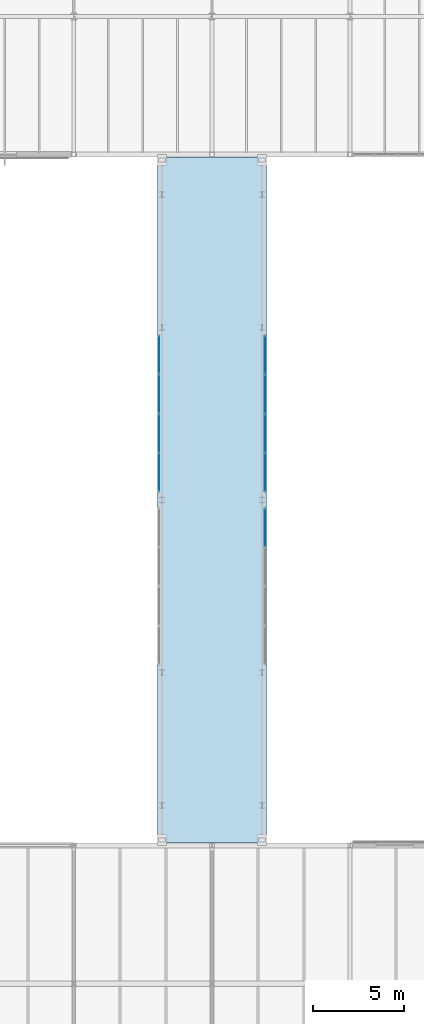
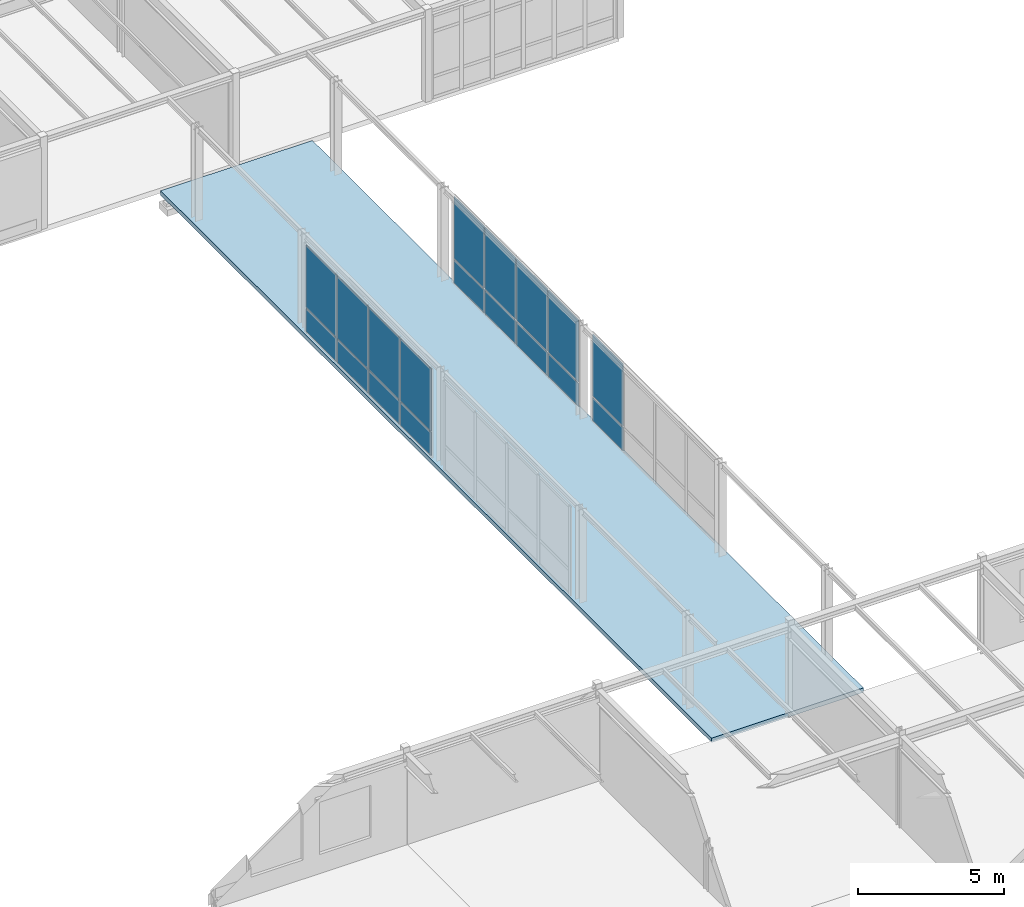
# One storey, part 139 of 189: 18 plates, 1 slab, 3 elements without a shape of their own.
"""IFC4 building model written with IfcOpenShell, lengths in metres."""

from ifc_helpers import new_model, si_unit, direction, frame, origin, origin_2d, place, context, subcontext, project, spatial, polyline, rectangle, outline, extrude, material, layer, layer_set, type_object, element, aggregate, save


model = new_model("IFC4")

# Units and contexts
model_context = context("Model", 3, precision=1e-05, world=origin(), true_north=direction((0.0, 1.0)))
body_context = subcontext(model_context, "Body", "Model", "MODEL_VIEW")
ifc_project = project(units=[si_unit("LENGTHUNIT", "METRE"), si_unit("AREAUNIT", "SQUARE_METRE"), si_unit("VOLUMEUNIT", "CUBIC_METRE"), si_unit("PLANEANGLEUNIT", "RADIAN"), si_unit("MASSUNIT", "GRAM", prefix="KILO")], contexts=[model_context])

# Site, building, storey
site_placement = place(None, origin())
site = spatial("IfcSite", under=ifc_project, at=site_placement, CompositionType="ELEMENT")
building_placement = place(site_placement, origin())
building = spatial("IfcBuilding", under=site, at=building_placement, Name="Montecoro Central Library", CompositionType="ELEMENT")
storey_placement = place(building_placement, frame((0.0, 0.0, 9.179931640625)))
storey = spatial("IfcBuildingStorey", under=building, at=storey_placement, Name="L02", CompositionType="ELEMENT", Elevation=9.179931640625)

# Curtain wall, plates
ifc_material_1 = material(Name="Bronze-anodised aluminium and low-E glazing", Category="aluminium")
ifc_layer_1 = layer(ifc_material_1, 0.159912109375)
ifc_layer_set_1 = layer_set([ifc_layer_1], Name="Bronze-anodised aluminium and low-E glazing")
curtain_wall_type_1 = type_object("IfcCurtainWallType", Name="CWT-082", PredefinedType="NOTDEFINED", material=ifc_layer_set_1)
curtain_wall_1_placement = place(storey_placement, origin())
curtain_wall_1 = element("IfcCurtainWall", 1, at=curtain_wall_1_placement, inside=storey, type_object=curtain_wall_type_1, Name="BR-W-L02-CW-W2", PredefinedType="NOTDEFINED")
ifc_material_2 = material(Name="Laminated low-E double glazing", Category="glass")
ifc_layer_2 = layer(ifc_material_2, 0.02587890625)
ifc_layer_set_2 = layer_set([ifc_layer_2], Name="Laminated low-E double glazing")
plate_type = type_object("IfcPlateType", Name="CWP-GLZ-01", PredefinedType="CURTAIN_PANEL", material=ifc_layer_set_2)
plate_1_placement = place(storey_placement, frame((24.8798828125, 55.91748046875, 0.06005859375), z_axis=(0.0, 0.0, 1.0), x_axis=(0.0, 1.0, 0.0)))
plate_1 = element("IfcPlate", 2, at=plate_1_placement, type_object=plate_type, Name="CW-082 panel 1.1", PredefinedType="CURTAIN_PANEL", context=body_context, shape_type="SweptSolid", body=[
    extrude(rectangle(XDim=2.074951171875, YDim=0.02587890625, at=origin_2d()), origin(), (0.0, 0.0, 1.0), 0.9599609375),
])
plate_2_placement = place(storey_placement, frame((24.8798828125, 55.91748046875, 1.080078125), z_axis=(0.0, 0.0, 1.0), x_axis=(0.0, 1.0, 0.0)))
plate_2 = element("IfcPlate", 3, at=plate_2_placement, type_object=plate_type, Name="CW-082 panel 1.2", PredefinedType="CURTAIN_PANEL", context=body_context, shape_type="SweptSolid", body=[
    extrude(rectangle(XDim=2.074951171875, YDim=0.02587890625, at=origin_2d()), origin(), (0.0, 0.0, 1.0), 2.590087890625),
])
plate_3_placement = place(storey_placement, frame((24.8798828125, 58.0673828125, 0.06005859375), z_axis=(0.0, 0.0, 1.0), x_axis=(0.0, 1.0, 0.0)))
plate_3 = element("IfcPlate", 4, at=plate_3_placement, type_object=plate_type, Name="CW-082 panel 2.1", PredefinedType="CURTAIN_PANEL", context=body_context, shape_type="SweptSolid", body=[
    extrude(rectangle(XDim=2.10498046875, YDim=0.02587890625, at=origin_2d()), origin(), (0.0, 0.0, 1.0), 0.9599609375),
])
plate_4_placement = place(storey_placement, frame((24.8798828125, 58.0673828125, 1.080078125), z_axis=(0.0, 0.0, 1.0), x_axis=(0.0, 1.0, 0.0)))
plate_4 = element("IfcPlate", 5, at=plate_4_placement, type_object=plate_type, Name="CW-082 panel 2.2", PredefinedType="CURTAIN_PANEL", context=body_context, shape_type="SweptSolid", body=[
    extrude(rectangle(XDim=2.10498046875, YDim=0.02587890625, at=origin_2d()), origin(), (0.0, 0.0, 1.0), 2.590087890625),
])
plate_5_placement = place(storey_placement, frame((24.8798828125, 60.232421875, 0.06005859375), z_axis=(0.0, 0.0, 1.0), x_axis=(0.0, 1.0, 0.0)))
plate_5 = element("IfcPlate", 6, at=plate_5_placement, type_object=plate_type, Name="CW-082 panel 3.1", PredefinedType="CURTAIN_PANEL", context=body_context, shape_type="SweptSolid", body=[
    extrude(rectangle(XDim=2.10498046875, YDim=0.02587890625, at=origin_2d()), origin(), (0.0, 0.0, 1.0), 0.9599609375),
])
plate_6_placement = place(storey_placement, frame((24.8798828125, 60.232421875, 1.080078125), z_axis=(0.0, 0.0, 1.0), x_axis=(0.0, 1.0, 0.0)))
plate_6 = element("IfcPlate", 7, at=plate_6_placement, type_object=plate_type, Name="CW-082 panel 3.2", PredefinedType="CURTAIN_PANEL", context=body_context, shape_type="SweptSolid", body=[
    extrude(rectangle(XDim=2.10498046875, YDim=0.02587890625, at=origin_2d()), origin(), (0.0, 0.0, 1.0), 2.590087890625),
])
plate_7_placement = place(storey_placement, frame((24.8798828125, 62.382568359375, 0.06005859375), z_axis=(0.0, 0.0, 1.0), x_axis=(0.0, 1.0, 0.0)))
plate_7 = element("IfcPlate", 8, at=plate_7_placement, type_object=plate_type, Name="CW-082 panel 4.1", PredefinedType="CURTAIN_PANEL", context=body_context, shape_type="SweptSolid", body=[
    extrude(rectangle(XDim=2.074951171875, YDim=0.02587890625, at=origin_2d()), origin(), (0.0, 0.0, 1.0), 0.9599609375),
])
plate_8_placement = place(storey_placement, frame((24.8798828125, 62.382568359375, 1.080078125), z_axis=(0.0, 0.0, 1.0), x_axis=(0.0, 1.0, 0.0)))
plate_8 = element("IfcPlate", 9, at=plate_8_placement, type_object=plate_type, Name="CW-082 panel 4.2", PredefinedType="CURTAIN_PANEL", context=body_context, shape_type="SweptSolid", body=[
    extrude(rectangle(XDim=2.074951171875, YDim=0.02587890625, at=origin_2d()), origin(), (0.0, 0.0, 1.0), 2.590087890625),
])
aggregate(curtain_wall_1, [plate_1, plate_2, plate_3, plate_4, plate_5, plate_6, plate_7, plate_8])

ifc_layer_3 = layer(ifc_material_1, 0.159912109375)
ifc_layer_set_3 = layer_set([ifc_layer_3], Name="Bronze-anodised aluminium and low-E glazing")
curtain_wall_type_2 = type_object("IfcCurtainWallType", Name="CWT-081", PredefinedType="NOTDEFINED", material=ifc_layer_set_3)
curtain_wall_2_placement = place(storey_placement, origin())
curtain_wall_2 = element("IfcCurtainWall", 10, at=curtain_wall_2_placement, inside=storey, type_object=curtain_wall_type_2, Name="BR-W-L02-CW-E1", PredefinedType="NOTDEFINED")
plate_9_placement = place(storey_placement, frame((30.719970703125, 52.882568359375, 0.06005859375), z_axis=(0.0, 0.0, 1.0), x_axis=(0.0, 1.0, 0.0)))
plate_9 = element("IfcPlate", 11, at=plate_9_placement, type_object=plate_type, Name="CW-081 panel 4.1", PredefinedType="CURTAIN_PANEL", context=body_context, shape_type="SweptSolid", body=[
    extrude(rectangle(XDim=2.074951171875, YDim=0.02587890625, at=origin_2d()), origin(), (0.0, 0.0, 1.0), 0.9599609375),
])
plate_10_placement = place(storey_placement, frame((30.719970703125, 52.882568359375, 1.080078125), z_axis=(0.0, 0.0, 1.0), x_axis=(0.0, 1.0, 0.0)))
plate_10 = element("IfcPlate", 12, at=plate_10_placement, type_object=plate_type, Name="CW-081 panel 4.2", PredefinedType="CURTAIN_PANEL", context=body_context, shape_type="SweptSolid", body=[
    extrude(rectangle(XDim=2.074951171875, YDim=0.02587890625, at=origin_2d()), origin(), (0.0, 0.0, 1.0), 2.590087890625),
])
aggregate(curtain_wall_2, [plate_9, plate_10])

curtain_wall_3_placement = place(storey_placement, origin())
curtain_wall_3 = element("IfcCurtainWall", 13, at=curtain_wall_3_placement, inside=storey, type_object=curtain_wall_type_1, Name="BR-W-L02-CW-E2", PredefinedType="NOTDEFINED")
plate_11_placement = place(storey_placement, frame((30.719970703125, 55.91748046875, 0.06005859375), z_axis=(0.0, 0.0, 1.0), x_axis=(0.0, 1.0, 0.0)))
plate_11 = element("IfcPlate", 14, at=plate_11_placement, type_object=plate_type, Name="CW-082 panel 1.1", PredefinedType="CURTAIN_PANEL", context=body_context, shape_type="SweptSolid", body=[
    extrude(rectangle(XDim=2.074951171875, YDim=0.02587890625, at=origin_2d()), origin(), (0.0, 0.0, 1.0), 0.9599609375),
])
plate_12_placement = place(storey_placement, frame((30.719970703125, 55.91748046875, 1.080078125), z_axis=(0.0, 0.0, 1.0), x_axis=(0.0, 1.0, 0.0)))
plate_12 = element("IfcPlate", 15, at=plate_12_placement, type_object=plate_type, Name="CW-082 panel 1.2", PredefinedType="CURTAIN_PANEL", context=body_context, shape_type="SweptSolid", body=[
    extrude(rectangle(XDim=2.074951171875, YDim=0.02587890625, at=origin_2d()), origin(), (0.0, 0.0, 1.0), 2.590087890625),
])
plate_13_placement = place(storey_placement, frame((30.719970703125, 58.0673828125, 0.06005859375), z_axis=(0.0, 0.0, 1.0), x_axis=(0.0, 1.0, 0.0)))
plate_13 = element("IfcPlate", 16, at=plate_13_placement, type_object=plate_type, Name="CW-082 panel 2.1", PredefinedType="CURTAIN_PANEL", context=body_context, shape_type="SweptSolid", body=[
    extrude(rectangle(XDim=2.10498046875, YDim=0.02587890625, at=origin_2d()), origin(), (0.0, 0.0, 1.0), 0.9599609375),
])
plate_14_placement = place(storey_placement, frame((30.719970703125, 58.0673828125, 1.080078125), z_axis=(0.0, 0.0, 1.0), x_axis=(0.0, 1.0, 0.0)))
plate_14 = element("IfcPlate", 17, at=plate_14_placement, type_object=plate_type, Name="CW-082 panel 2.2", PredefinedType="CURTAIN_PANEL", context=body_context, shape_type="SweptSolid", body=[
    extrude(rectangle(XDim=2.10498046875, YDim=0.02587890625, at=origin_2d()), origin(), (0.0, 0.0, 1.0), 2.590087890625),
])
plate_15_placement = place(storey_placement, frame((30.719970703125, 60.232421875, 0.06005859375), z_axis=(0.0, 0.0, 1.0), x_axis=(0.0, 1.0, 0.0)))
plate_15 = element("IfcPlate", 18, at=plate_15_placement, type_object=plate_type, Name="CW-082 panel 3.1", PredefinedType="CURTAIN_PANEL", context=body_context, shape_type="SweptSolid", body=[
    extrude(rectangle(XDim=2.10498046875, YDim=0.02587890625, at=origin_2d()), origin(), (0.0, 0.0, 1.0), 0.9599609375),
])
plate_16_placement = place(storey_placement, frame((30.719970703125, 60.232421875, 1.080078125), z_axis=(0.0, 0.0, 1.0), x_axis=(0.0, 1.0, 0.0)))
plate_16 = element("IfcPlate", 19, at=plate_16_placement, type_object=plate_type, Name="CW-082 panel 3.2", PredefinedType="CURTAIN_PANEL", context=body_context, shape_type="SweptSolid", body=[
    extrude(rectangle(XDim=2.10498046875, YDim=0.02587890625, at=origin_2d()), origin(), (0.0, 0.0, 1.0), 2.590087890625),
])
plate_17_placement = place(storey_placement, frame((30.719970703125, 62.382568359375, 0.06005859375), z_axis=(0.0, 0.0, 1.0), x_axis=(0.0, 1.0, 0.0)))
plate_17 = element("IfcPlate", 20, at=plate_17_placement, type_object=plate_type, Name="CW-082 panel 4.1", PredefinedType="CURTAIN_PANEL", context=body_context, shape_type="SweptSolid", body=[
    extrude(rectangle(XDim=2.074951171875, YDim=0.02587890625, at=origin_2d()), origin(), (0.0, 0.0, 1.0), 0.9599609375),
])
plate_18_placement = place(storey_placement, frame((30.719970703125, 62.382568359375, 1.080078125), z_axis=(0.0, 0.0, 1.0), x_axis=(0.0, 1.0, 0.0)))
plate_18 = element("IfcPlate", 21, at=plate_18_placement, type_object=plate_type, Name="CW-082 panel 4.2", PredefinedType="CURTAIN_PANEL", context=body_context, shape_type="SweptSolid", body=[
    extrude(rectangle(XDim=2.074951171875, YDim=0.02587890625, at=origin_2d()), origin(), (0.0, 0.0, 1.0), 2.590087890625),
])
aggregate(curtain_wall_3, [plate_11, plate_12, plate_13, plate_14, plate_15, plate_16, plate_17, plate_18])

# Slab
ifc_material_3 = material(Name="Concrete C32/40", Category="concrete")
ifc_layer_4 = layer(ifc_material_3, 0.18505859375)
ifc_layer_set_4 = layer_set([ifc_layer_4], Name="Concrete C32/40")
slab_type = type_object("IfcSlabType", Name="SL-BRG-185", PredefinedType="FLOOR", material=ifc_layer_set_4)
slab_placement = place(storey_placement, frame((0.0, 0.0, -0.184814453125)))
element("IfcSlab", 22, at=slab_placement, inside=storey, type_object=slab_type, Name="BR-W Skybridge Link Bridge Slab", PredefinedType="FLOOR", context=body_context, shape_type="SweptSolid", body=[
    extrude(outline(polyline([(24.800048828125, 35.5400390625), (30.800048828125, 35.5400390625), (30.800048828125, 73.260009765625), (24.800048828125, 73.260009765625), (24.800048828125, 35.5400390625)])), origin(), (0.0, 0.0, 1.0), 0.184814453125),
])

save(model, "model.ifc")
